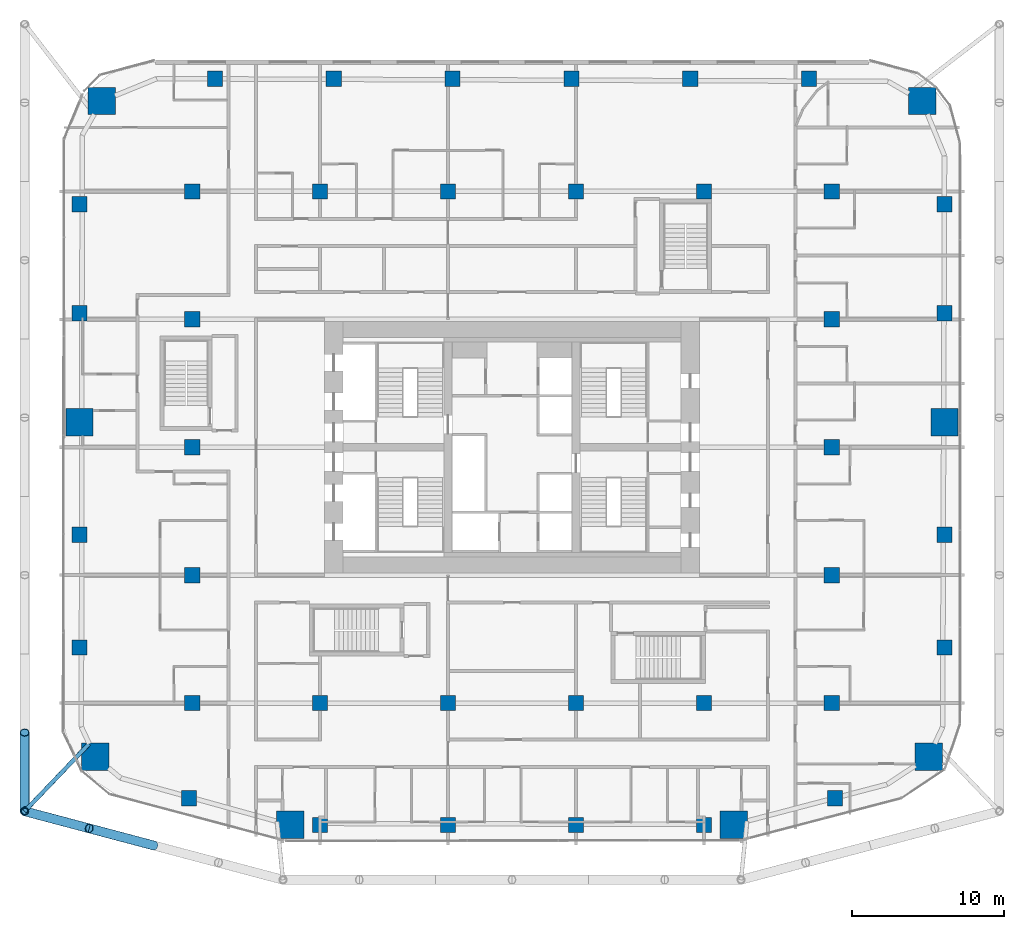
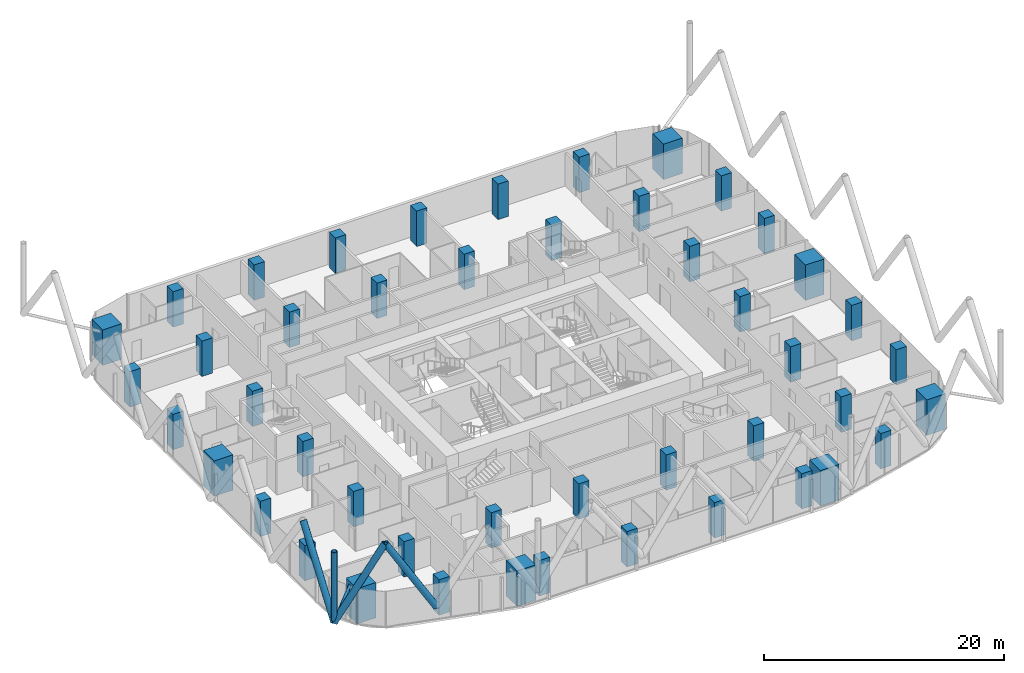
# One storey, part 1 of 34: 46 columns, 5 members.
"""IFC4 building model written with IfcOpenShell, lengths in metres."""

from ifc_helpers import new_model, si_unit, direction, frame, origin, origin_2d, place, context, subcontext, project, spatial, rectangle, hollow_circle, extrude, material, material_profile, profile_set, type_object, element, save


model = new_model("IFC4")

# Units and contexts
model_context = context("Model", 3, precision=1e-05, world=origin(), true_north=direction((0.0, 1.0)))
body_context = subcontext(model_context, "Body", "Model", "MODEL_VIEW")
ifc_project = project(units=[si_unit("LENGTHUNIT", "METRE"), si_unit("AREAUNIT", "SQUARE_METRE"), si_unit("VOLUMEUNIT", "CUBIC_METRE"), si_unit("PLANEANGLEUNIT", "RADIAN"), si_unit("MASSUNIT", "GRAM", prefix="KILO")], contexts=[model_context])

# Site, building, storey
site_placement = place(None, origin())
site = spatial("IfcSite", under=ifc_project, at=site_placement, CompositionType="ELEMENT")
building_placement = place(site_placement, origin())
building = spatial("IfcBuilding", under=site, at=building_placement, Name="Marenta Gate Hotel Tower", CompositionType="ELEMENT")
storey_placement = place(building_placement, frame((0.0, 0.0, 47.300048828125)))
storey = spatial("IfcBuildingStorey", under=building, at=storey_placement, Name="L09", CompositionType="ELEMENT", Elevation=47.300048828125)

# Columns
ifc_material_1 = material(Name="Concrete C80", Category="concrete")
ifc_material_profile_1 = material_profile(ifc_material_1, rectangle(XDim=1.0, YDim=1.0, at=origin_2d()), Name="1000 x 1000")
ifc_profile_set_1 = profile_set([ifc_material_profile_1], Name="Concrete C80")
column_type_1 = type_object("IfcColumnType", Name="Edge column 1000 x 1000 C80", PredefinedType="COLUMN", material=ifc_profile_set_1)
for number, where, z_axis, x_axis, name in (
    (1, (-28.39990234375, -4.751953125, 0.0), (0.0, 0.0, 1.0), (1.0, 0.0, 0.0), "L09-EC-SW-W-1"),
    (2, (-28.39990234375, 2.649169921875, 0.0), (0.0, 0.0, 1.0), (1.0, 0.0, 0.0), "L09-EC-SW-W-2"),
    (3, (-28.39990234375, 17.203125, 0.0), (0.0, 0.0, 1.0), (1.0, 0.0, 0.0), "L09-EC-W-NW-1"),
    (4, (-28.39990234375, 24.3564453125, 0.0), (0.0, 0.0, 1.0), (1.0, 0.0, 0.0), "L09-EC-W-NW-2"),
    (5, (-19.5068359375, 32.60009765625, 0.0), (0.0, 0.0, 1.0), (1.0, 0.0, 0.0), "L09-EC-NW-NE-1"),
    (6, (-11.7041015625, 32.60009765625, 0.0), (0.0, 0.0, 1.0), (1.0, 0.0, 0.0), "L09-EC-NW-NE-2"),
    (7, (-3.9013671875, 32.60009765625, 0.0), (0.0, 0.0, 1.0), (1.0, 0.0, 0.0), "L09-EC-NW-NE-3"),
    (8, (3.9013671875, 32.60009765625, 0.0), (0.0, 0.0, 1.0), (1.0, 0.0, 0.0), "L09-EC-NW-NE-4"),
    (9, (11.7041015625, 32.60009765625, 0.0), (0.0, 0.0, 1.0), (1.0, 0.0, 0.0), "L09-EC-NW-NE-5"),
    (10, (19.5068359375, 32.60009765625, 0.0), (0.0, 0.0, 1.0), (1.0, 0.0, 0.0), "L09-EC-NW-NE-6"),
    (11, (28.39990234375, 24.3564453125, 0.0), (0.0, 0.0, 1.0), (1.0, 0.0, 0.0), "L09-EC-NE-E-1"),
    (12, (28.39990234375, 17.203125, 0.0), (0.0, 0.0, 1.0), (1.0, 0.0, 0.0), "L09-EC-NE-E-2"),
    (13, (28.39990234375, 2.649169921875, 0.0), (0.0, 0.0, 1.0), (1.0, 0.0, 0.0), "L09-EC-E-SE-1"),
    (14, (28.39990234375, -4.751953125, 0.0), (0.0, 0.0, 1.0), (1.0, 0.0, 0.0), "L09-EC-E-SE-2"),
    (15, (21.206787109375, -14.63916015625, 0.0), (0.0, 0.0, 1.0), (1.0, 0.0, 0.0), "L09-EC-SE-SKE-1"),
    (16, (12.60009765625, -16.39990234375, 0.0), (0.0, 0.0, 1.0), (1.0, 0.0, 0.0), "L09-EC-SKE-SKW-1"),
    (17, (4.199951171875, -16.39990234375, 0.0), (0.0, 0.0, 1.0), (1.0, 0.0, 0.0), "L09-EC-SKE-SKW-2"),
    (18, (-4.199951171875, -16.39990234375, 0.0), (0.0, 0.0, 1.0), (1.0, 0.0, 0.0), "L09-EC-SKE-SKW-3"),
    (19, (-12.60009765625, -16.39990234375, 0.0), (0.0, 0.0, 1.0), (1.0, 0.0, 0.0), "L09-EC-SKE-SKW-4"),
    (20, (-21.206787109375, -14.63916015625, 0.0), (0.0, 0.0, 1.0), (1.0, 0.0, 0.0), "L09-EC-SKW-SW-1"),
):
    element("IfcColumn", number, at=place(storey_placement, frame(where, z_axis=z_axis, x_axis=x_axis)), inside=storey, type_object=column_type_1, Name=name, PredefinedType="COLUMN", context=body_context, shape_type="SweptSolid", body=[
        extrude(rectangle(XDim=1.0, YDim=1.0, at=origin_2d()), origin(), (0.0, 0.0, 1.0), 3.599853515625),
    ])
ifc_material_2 = material(Name="Concrete C80", Category="concrete")
ifc_material_profile_2 = material_profile(ifc_material_2, rectangle(XDim=1.0, YDim=1.0, at=origin_2d()), Name="1000 x 1000")
ifc_profile_set_2 = profile_set([ifc_material_profile_2], Name="Concrete C80")
column_type_2 = type_object("IfcColumnType", Name="Interior column 1000 x 1000 C80", PredefinedType="COLUMN", material=ifc_profile_set_2)
for number, where, z_axis, x_axis, name in (
    (21, (-21.0, -8.39990234375, 0.0), (0.0, 0.0, 1.0), (1.0, 0.0, 0.0), "L09-IC-4E"),
    (22, (-21.0, 0.0, 0.0), (0.0, 0.0, 1.0), (1.0, 0.0, 0.0), "L09-IC-4F"),
    (23, (-21.0, 8.39990234375, 0.0), (0.0, 0.0, 1.0), (1.0, 0.0, 0.0), "L09-IC-4G"),
    (24, (-21.0, 16.800048828125, 0.0), (0.0, 0.0, 1.0), (1.0, 0.0, 0.0), "L09-IC-4H"),
    (25, (-21.0, 25.199951171875, 0.0), (0.0, 0.0, 1.0), (1.0, 0.0, 0.0), "L09-IC-4I"),
    (26, (-12.60009765625, -8.39990234375, 0.0), (0.0, 0.0, 1.0), (1.0, 0.0, 0.0), "L09-IC-5E"),
    (27, (-12.60009765625, 25.199951171875, 0.0), (0.0, 0.0, 1.0), (1.0, 0.0, 0.0), "L09-IC-5I"),
    (28, (-4.199951171875, -8.39990234375, 0.0), (0.0, 0.0, 1.0), (1.0, 0.0, 0.0), "L09-IC-6E"),
    (29, (-4.199951171875, 25.199951171875, 0.0), (0.0, 0.0, 1.0), (1.0, 0.0, 0.0), "L09-IC-6I"),
    (30, (4.199951171875, -8.39990234375, 0.0), (0.0, 0.0, 1.0), (1.0, 0.0, 0.0), "L09-IC-7E"),
    (31, (4.199951171875, 25.199951171875, 0.0), (0.0, 0.0, 1.0), (1.0, 0.0, 0.0), "L09-IC-7I"),
    (32, (12.60009765625, -8.39990234375, 0.0), (0.0, 0.0, 1.0), (1.0, 0.0, 0.0), "L09-IC-8E"),
    (33, (12.60009765625, 25.199951171875, 0.0), (0.0, 0.0, 1.0), (1.0, 0.0, 0.0), "L09-IC-8I"),
    (34, (21.0, -8.39990234375, 0.0), (0.0, 0.0, 1.0), (1.0, 0.0, 0.0), "L09-IC-9E"),
    (35, (21.0, 0.0, 0.0), (0.0, 0.0, 1.0), (1.0, 0.0, 0.0), "L09-IC-9F"),
    (36, (21.0, 8.39990234375, 0.0), (0.0, 0.0, 1.0), (1.0, 0.0, 0.0), "L09-IC-9G"),
    (37, (21.0, 16.800048828125, 0.0), (0.0, 0.0, 1.0), (1.0, 0.0, 0.0), "L09-IC-9H"),
    (38, (21.0, 25.199951171875, 0.0), (0.0, 0.0, 1.0), (1.0, 0.0, 0.0), "L09-IC-9I"),
):
    element("IfcColumn", number, at=place(storey_placement, frame(where, z_axis=z_axis, x_axis=x_axis)), inside=storey, type_object=column_type_2, Name=name, PredefinedType="COLUMN", context=body_context, shape_type="SweptSolid", body=[
        extrude(rectangle(XDim=1.0, YDim=1.0, at=origin_2d()), origin(), (0.0, 0.0, 1.0), 3.599853515625),
    ])
ifc_material_3 = material(Name="Concrete C80", Category="concrete")
ifc_material_profile_3 = material_profile(ifc_material_3, rectangle(XDim=1.800048828125, YDim=1.800048828125, at=origin_2d()), Name="1800 x 1800")
ifc_profile_set_3 = profile_set([ifc_material_profile_3], Name="Concrete C80")
column_type_3 = type_object("IfcColumnType", Name="Mega column 1800 x 1800 C80", PredefinedType="COLUMN", material=ifc_profile_set_3)
for number, where, z_axis, x_axis, name in (
    (39, (-27.363037109375, -11.93310546875, 0.0), (0.0, 0.0, 1.0), (1.0, 0.0, 0.0), "L09-MC-SW"),
    (40, (-14.56640625, -16.374755859375, 0.0), (0.0, 0.0, 1.0), (1.0, 0.0, 0.0), "L09-MC-SKW"),
    (41, (14.56640625, -16.374755859375, 0.0), (0.0, 0.0, 1.0), (1.0, 0.0, 0.0), "L09-MC-SKE"),
    (42, (27.363037109375, -11.93310546875, 0.0), (0.0, 0.0, 1.0), (1.0, 0.0, 0.0), "L09-MC-SE"),
    (43, (28.39990234375, 10.050048828125, 0.0), (0.0, 0.0, 1.0), (1.0, 0.0, 0.0), "L09-MC-E"),
    (44, (26.935546875, 31.135498046875, 0.0), (0.0, 0.0, 1.0), (1.0, 0.0, 0.0), "L09-MC-NE"),
    (45, (-26.935546875, 31.135498046875, 0.0), (0.0, 0.0, 1.0), (1.0, 0.0, 0.0), "L09-MC-NW"),
    (46, (-28.39990234375, 10.050048828125, 0.0), (0.0, 0.0, 1.0), (1.0, 0.0, 0.0), "L09-MC-W"),
):
    element("IfcColumn", number, at=place(storey_placement, frame(where, z_axis=z_axis, x_axis=x_axis)), inside=storey, type_object=column_type_3, Name=name, PredefinedType="COLUMN", context=body_context, shape_type="SweptSolid", body=[
        extrude(rectangle(XDim=1.800048828125, YDim=1.800048828125, at=origin_2d()), origin(), (0.0, 0.0, 1.0), 3.599853515625),
    ])

# Members
ifc_material_4 = material(Name="Steel S355J2W", Category="steel")
ifc_material_profile_4 = material_profile(ifc_material_4, hollow_circle(Radius=0.25390625, WallThickness=0.0400390625, at=origin_2d()), Name="CHS 508x40")
ifc_profile_set_4 = profile_set([ifc_material_profile_4], Name="Steel S355J2W")
member_type_1 = type_object("IfcMemberType", Name="Diagrid corner post Z1 CHS 508x40", PredefinedType="POST", material=ifc_profile_set_4)
member_1_placement = place(storey_placement, frame((-32.0, -15.500244140625, 3.139892578125), z_axis=(0.0, 0.0, 1.0), x_axis=(1.0, 0.0, 0.0)))
element("IfcMember", 47, at=member_1_placement, inside=storey, type_object=member_type_1, Name="L09-DR-5", PredefinedType="POST", context=body_context, shape_type="SweptSolid", body=[
    extrude(hollow_circle(Radius=0.25390625, WallThickness=0.0400390625, at=origin_2d()), origin(), (0.0, 0.0, 1.0), 7.199951171875),
])
ifc_material_5 = material(Name="Steel S355J2W", Category="steel")
ifc_material_profile_5 = material_profile(ifc_material_5, hollow_circle(Radius=0.304931640625, WallThickness=0.0400390625, at=origin_2d()), Name="CHS 610x40")
ifc_profile_set_5 = profile_set([ifc_material_profile_5], Name="Steel S355J2W")
member_type_2 = type_object("IfcMemberType", Name="Diagrid diagonal Z1 CHS 610x40", PredefinedType="BRACE", material=ifc_profile_set_5)
for number, where, z_axis, x_axis, name in (
    (48, (-23.51953125, -17.75, 3.139892578125), (-0.502924018666, 0.133433548941, 0.853968921838), (-0.256443187528, -0.96655930577, 0.0), "L09-DG-23"),
    (49, (-32.0, -15.500244140625, 3.139892578125), (0.502925961678, -0.133405107407, 0.853972221087), (0.256391194513, 0.966573098827, 0.0), "L09-DG-24"),
):
    element("IfcMember", number, at=place(storey_placement, frame(where, z_axis=z_axis, x_axis=x_axis)), inside=storey, type_object=member_type_2, Name=name, PredefinedType="BRACE", context=body_context, shape_type="SweptSolid", body=[
        extrude(hollow_circle(Radius=0.304931640625, WallThickness=0.0400390625, at=origin_2d()), origin(), (0.0, 0.0, 1.0), 8.43115234375),
    ])
member_2_placement = place(storey_placement, frame((-32.0, -15.500244140625, 3.139892578125), z_axis=(0.0, 0.583279014058, 0.812271870595), x_axis=(-1.0, 0.0, 0.0)))
element("IfcMember", 50, at=member_2_placement, inside=storey, type_object=member_type_2, Name="L09-DG-25", PredefinedType="BRACE", context=body_context, shape_type="SweptSolid", body=[
    extrude(hollow_circle(Radius=0.304931640625, WallThickness=0.0400390625, at=origin_2d()), origin(), (0.0, 0.0, 1.0), 8.864013671875),
])
ifc_material_6 = material(Name="Steel S355J2W", Category="steel")
ifc_material_profile_6 = material_profile(ifc_material_6, hollow_circle(Radius=0.136474609375, WallThickness=0.012451171875, at=origin_2d()), Name="CHS 273x12.5")
ifc_profile_set_6 = profile_set([ifc_material_profile_6], Name="Steel S355J2W")
member_type_3 = type_object("IfcMemberType", Name="Floor tie CHS 273x12.5", PredefinedType="STRUT", material=ifc_profile_set_6)
member_3_placement = place(storey_placement, frame((-32.0, -15.500244140625, 3.139892578125), z_axis=(0.691351135911, 0.722518931845, 0.0), x_axis=(-0.722518931845, 0.691351135911, 0.0)))
element("IfcMember", 51, at=member_3_placement, inside=storey, type_object=member_type_3, Name="L09-DR-11", PredefinedType="STRUT", context=body_context, shape_type="SweptSolid", body=[
    extrude(hollow_circle(Radius=0.136474609375, WallThickness=0.012451171875, at=origin_2d()), origin(), (0.0, 0.0, 1.0), 6.12548828125),
])

save(model, "model.ifc")
